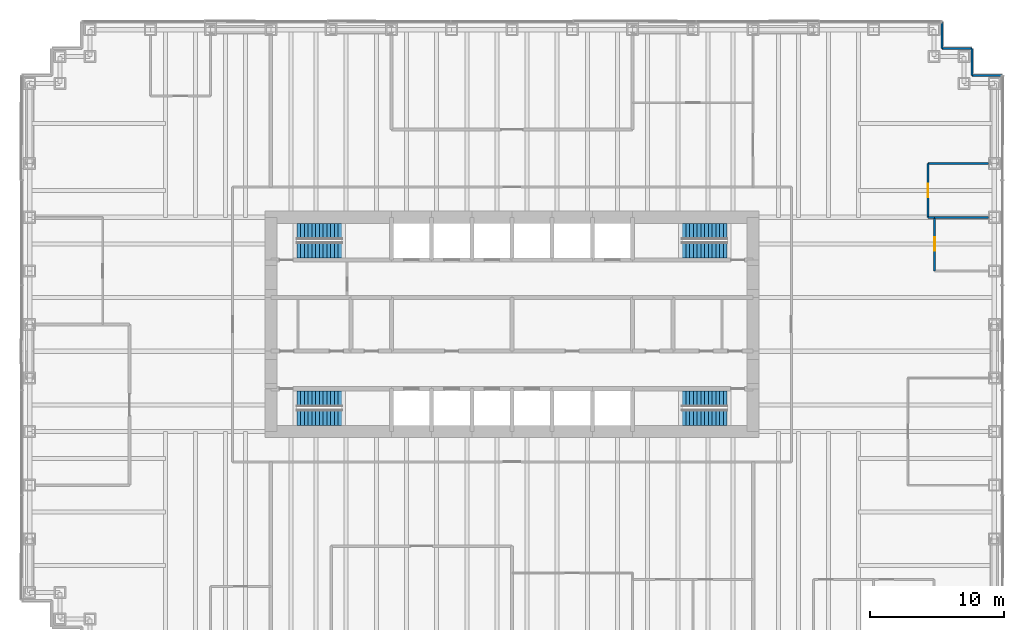
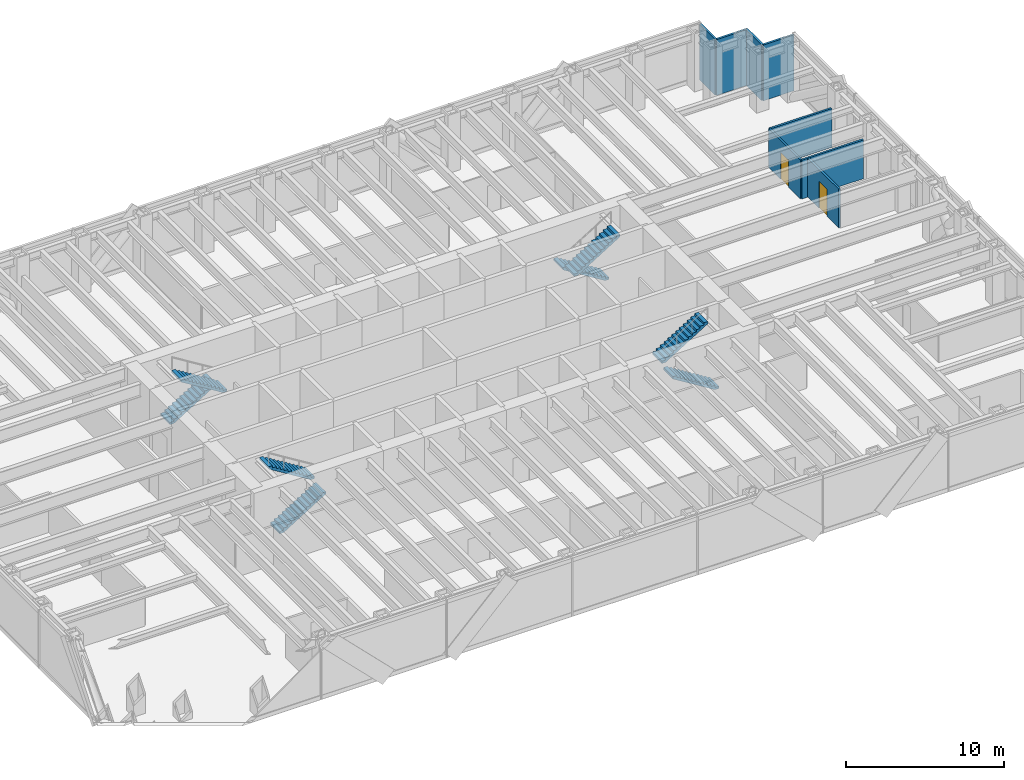
# One storey, part 12 of 13: 9 walls, 8 stair flights, 2 doors, 2 openings, 4 elements without a shape of their own.
"""IFC4 building model written with IfcOpenShell, lengths in metres."""

from ifc_helpers import new_model, si_unit, direction, frame, frame_2d, origin, place, context, subcontext, project, spatial, polyline, rectangle, outline, extrude, material, layer, layer_set, type_object, element, fill, aggregate, save


model = new_model("IFC4")

# Units and contexts
model_context = context("Model", 3, precision=1e-05, world=origin(), true_north=direction((0.0, 1.0)))
body_context = subcontext(model_context, "Body", "Model", "MODEL_VIEW")
ifc_project = project(units=[si_unit("LENGTHUNIT", "METRE"), si_unit("AREAUNIT", "SQUARE_METRE"), si_unit("VOLUMEUNIT", "CUBIC_METRE"), si_unit("PLANEANGLEUNIT", "RADIAN"), si_unit("MASSUNIT", "GRAM", prefix="KILO")], contexts=[model_context])

# Site, building, storey
site_placement = place(None, origin())
site = spatial("IfcSite", under=ifc_project, at=site_placement, CompositionType="ELEMENT")
building_placement = place(site_placement, origin())
building = spatial("IfcBuilding", under=site, at=building_placement, Name="Rheinbord Bourse Tower", CompositionType="ELEMENT")
storey_placement = place(building_placement, frame((0.0, 0.0, 81.5)))
storey = spatial("IfcBuildingStorey", under=building, at=storey_placement, Name="L17", CompositionType="ELEMENT", Elevation=81.5)

# Walls
ifc_material_1 = material(Name="Black metal rainscreen panel", Category="aluminium")
ifc_layer_1 = layer(ifc_material_1, 0.14990234375)
ifc_layer_set_1 = layer_set([ifc_layer_1], Name="CORNER PIER CLADDING 150")
wall_type_1 = type_object("IfcWallType", Name="CORNER PIER CLADDING 150", PredefinedType="ELEMENTEDWALL", material=ifc_layer_set_1)
wall_1_placement = place(storey_placement, frame((72.60009765625, 42.60009765625, 0.0), z_axis=(0.0, 0.0, 1.0), x_axis=(-1.0, 0.0, 0.0)))
element("IfcWall", 1, at=wall_1_placement, inside=storey, type_object=wall_type_1, Name="Corner pier cladding L17 7", PredefinedType="ELEMENTEDWALL", context=body_context, shape_type="SweptSolid", body=[
    extrude(rectangle(XDim=2.25, YDim=0.14990234375, at=frame_2d((1.125, 0.0))), origin(), (0.0, 0.0, 1.0), 4.320068359375),
])
wall_2_placement = place(storey_placement, frame((70.35009765625, 42.60009765625, 0.0), z_axis=(0.0, 0.0, 1.0), x_axis=(0.0, 1.0, 0.0)))
element("IfcWall", 2, at=wall_2_placement, inside=storey, type_object=wall_type_1, Name="Corner pier cladding L17 8", PredefinedType="ELEMENTEDWALL", context=body_context, shape_type="SweptSolid", body=[
    extrude(rectangle(XDim=2.0, YDim=0.14990234375, at=frame_2d((1.0, 0.0))), origin(), (0.0, 0.0, 1.0), 4.320068359375),
])
wall_3_placement = place(storey_placement, frame((70.35009765625, 44.60009765625, 0.0), z_axis=(0.0, 0.0, 1.0), x_axis=(-1.0, 0.0, 0.0)))
element("IfcWall", 3, at=wall_3_placement, inside=storey, type_object=wall_type_1, Name="Corner pier cladding L17 9", PredefinedType="ELEMENTEDWALL", context=body_context, shape_type="SweptSolid", body=[
    extrude(rectangle(XDim=2.25, YDim=0.14990234375, at=frame_2d((1.125, 0.0))), origin(), (0.0, 0.0, 1.0), 4.320068359375),
])
wall_4_placement = place(storey_placement, frame((68.10009765625, 44.60009765625, 0.0), z_axis=(0.0, 0.0, 1.0), x_axis=(0.0, 1.0, 0.0)))
element("IfcWall", 4, at=wall_4_placement, inside=storey, type_object=wall_type_1, Name="Corner pier cladding L17 10", PredefinedType="ELEMENTEDWALL", context=body_context, shape_type="SweptSolid", body=[
    extrude(rectangle(XDim=2.0, YDim=0.14990234375, at=frame_2d((1.0, 0.0))), origin(), (0.0, 0.0, 1.0), 4.320068359375),
])
ifc_material_2 = material(Name="Gypsum board fire partition", Category="gypsum board")
ifc_layer_2 = layer(ifc_material_2, 0.14990234375)
ifc_layer_set_2 = layer_set([ifc_layer_2], Name="FIRE PARTITION 150 EI60")
wall_type_2 = type_object("IfcWallType", Name="FIRE PARTITION 150 EI60", PredefinedType="PARTITIONING", material=ifc_layer_set_2)
wall_5_placement = place(storey_placement, frame((67.550048828125, 32.0, 0.0), z_axis=(0.0, 0.0, 1.0), x_axis=(1.0, 0.0, 0.0)))
element("IfcWall", 5, at=wall_5_placement, inside=storey, type_object=wall_type_2, Name="Partition L17-15", PredefinedType="PARTITIONING", context=body_context, shape_type="SweptSolid", body=[
    extrude(rectangle(XDim=4.0, YDim=0.14990234375, at=frame_2d((2.0, 0.0))), origin(), (0.0, 0.0, 1.0), 3.0),
])

# Wall, opening, door
wall_6_placement = place(storey_placement, frame((67.550048828125, 28.0, 0.0), z_axis=(0.0, 0.0, 1.0), x_axis=(0.0, 1.0, 0.0)))
wall_6 = element("IfcWall", 6, at=wall_6_placement, inside=storey, type_object=wall_type_2, Name="Partition L17-44", PredefinedType="PARTITIONING", context=body_context, shape_type="SweptSolid", body=[
    extrude(rectangle(XDim=4.0, YDim=0.14990234375, at=frame_2d((2.0, 0.0))), origin(), (0.0, 0.0, 1.0), 3.0),
])
opening_1_placement = place(wall_6_placement, frame((1.5, 0.0, 0.0)))
opening_1 = element("IfcOpeningElement", 7, at=opening_1_placement, cuts=wall_6, Name="Opening 17D11", PredefinedType="OPENING", context=body_context, shape_type="SweptSolid", body=[
    extrude(rectangle(XDim=1.0, YDim=2.10009765625, at=frame_2d((0.5, 1.050048828125))), frame((0.0, 0.0849609375, 0.0), z_axis=(0.0, -1.0, 0.0), x_axis=(1.0, 0.0, 0.0)), (0.0, 0.0, 1.0), 0.169921875),
])
ifc_material_3 = material(Name="Timber fire door", Category="wood")
door_type_1 = type_object("IfcDoorType", Name="FIRE DOOR 1000 EI60", OperationType="SINGLE_SWING_LEFT", PredefinedType="DOOR", material=ifc_material_3)
door_1_placement = place(opening_1_placement, origin())
door_1 = element("IfcDoor", 8, at=door_1_placement, inside=storey, type_object=door_type_1, Name="Comms room door L17", OperationType="SINGLE_SWING_LEFT", OverallHeight=2.10009765625, OverallWidth=1.0, PredefinedType="DOOR", context=body_context, shape_type="SweptSolid", body=[
    extrude(rectangle(XDim=1.0, YDim=2.10009765625, at=frame_2d((0.5, 1.050048828125))), frame((0.0, 0.02490234375, 0.0), z_axis=(0.0, -1.0, 0.0), x_axis=(1.0, 0.0, 0.0)), (0.0, 0.0, 1.0), 0.050048828125),
])
fill(opening_1, door_1)

# Walls
ifc_material_4 = material(Name="Gypsum board partition", Category="gypsum board")
ifc_layer_3 = layer(ifc_material_4, 0.14990234375)
ifc_layer_set_3 = layer_set([ifc_layer_3], Name="PARTITION 150")
wall_type_3 = type_object("IfcWallType", Name="PARTITION 150", PredefinedType="PARTITIONING", material=ifc_layer_set_3)
wall_7_placement = place(storey_placement, frame((67.050048828125, 32.0, 0.0), z_axis=(0.0, 0.0, 1.0), x_axis=(1.0, 0.0, 0.0)))
element("IfcWall", 9, at=wall_7_placement, inside=storey, type_object=wall_type_3, Name="Partition L17-14", PredefinedType="PARTITIONING", context=body_context, shape_type="SweptSolid", body=[
    extrude(rectangle(XDim=0.5, YDim=0.14990234375, at=frame_2d((0.25, 0.0))), origin(), (0.0, 0.0, 1.0), 3.0),
])
wall_8_placement = place(storey_placement, frame((67.050048828125, 36.0, 0.0), z_axis=(0.0, 0.0, 1.0), x_axis=(1.0, 0.0, 0.0)))
element("IfcWall", 10, at=wall_8_placement, inside=storey, type_object=wall_type_3, Name="Partition L17-17", PredefinedType="PARTITIONING", context=body_context, shape_type="SweptSolid", body=[
    extrude(rectangle(XDim=4.5, YDim=0.14990234375, at=frame_2d((2.25, 0.0))), origin(), (0.0, 0.0, 1.0), 3.0),
])

# Wall, opening, door
wall_9_placement = place(storey_placement, frame((67.050048828125, 32.0, 0.0), z_axis=(0.0, 0.0, 1.0), x_axis=(0.0, 1.0, 0.0)))
wall_9 = element("IfcWall", 11, at=wall_9_placement, inside=storey, type_object=wall_type_3, Name="Partition L17-42", PredefinedType="PARTITIONING", context=body_context, shape_type="SweptSolid", body=[
    extrude(rectangle(XDim=4.0, YDim=0.14990234375, at=frame_2d((2.0, 0.0))), origin(), (0.0, 0.0, 1.0), 3.0),
])
opening_2_placement = place(wall_9_placement, frame((1.5, 0.0, 0.0)))
opening_2 = element("IfcOpeningElement", 12, at=opening_2_placement, cuts=wall_9, Name="Opening 17D12", PredefinedType="OPENING", context=body_context, shape_type="SweptSolid", body=[
    extrude(rectangle(XDim=1.0, YDim=2.10009765625, at=frame_2d((0.5, 1.050048828125))), frame((0.0, 0.0849609375, 0.0), z_axis=(0.0, -1.0, 0.0), x_axis=(1.0, 0.0, 0.0)), (0.0, 0.0, 1.0), 0.169921875),
])
ifc_material_5 = material(Name="Timber door", Category="wood")
door_type_2 = type_object("IfcDoorType", Name="ROOM DOOR 1000", OperationType="SINGLE_SWING_LEFT", PredefinedType="DOOR", material=ifc_material_5)
door_2_placement = place(opening_2_placement, origin())
door_2 = element("IfcDoor", 13, at=door_2_placement, inside=storey, type_object=door_type_2, Name="Pantry door L17", OperationType="SINGLE_SWING_LEFT", OverallHeight=2.10009765625, OverallWidth=1.0, PredefinedType="DOOR", context=body_context, shape_type="SweptSolid", body=[
    extrude(rectangle(XDim=1.0, YDim=2.10009765625, at=frame_2d((0.5, 1.050048828125))), frame((0.0, 0.02490234375, 0.0), z_axis=(0.0, -1.0, 0.0), x_axis=(1.0, 0.0, 0.0)), (0.0, 0.0, 1.0), 0.050048828125),
])
fill(opening_2, door_2)

# Stair, stair flights
ifc_material_6 = material(Name="Concrete C30/37", Category="concrete")
stair_type = type_object("IfcStairType", Name="CORE STAIR HALF TURN 4500", PredefinedType="HALF_TURN_STAIR", material=ifc_material_6)
stair_1_placement = place(storey_placement, origin())
stair_1 = element("IfcStair", 14, at=stair_1_placement, inside=storey, type_object=stair_type, Name="Stair ST1 L17, type CS4", PredefinedType="HALF_TURN_STAIR")
ifc_material_7 = material(Name="Concrete C30/37", Category="concrete")
stair_flight_type = type_object("IfcStairFlightType", Name="CORE STAIR FLIGHT 1200, 13 RISERS", PredefinedType="STRAIGHT", material=ifc_material_7)
stair_flight_1_placement = place(storey_placement, frame((19.949951171875, 17.050048828125, 0.0), z_axis=(0.0, 0.0, 1.0), x_axis=(1.0, 0.0, 0.0)))
stair_flight_1 = element("IfcStairFlight", 15, at=stair_flight_1_placement, type_object=stair_flight_type, Name="STAIR L17 ST1 F1", NumberOfRisers=13, NumberOfTreads=12, PredefinedType="STRAIGHT", RiserHeight=0.173076923, TreadLength=0.28, context=body_context, shape_type="SweptSolid", body=[
    extrude(outline(polyline([(0.0, 0.0), (0.0, 0.173095703125), (0.280029296875, 0.173095703125), (0.280029296875, 0.34619140625), (0.56005859375, 0.34619140625), (0.56005859375, 0.519287109375), (0.840087890625, 0.519287109375), (0.840087890625, 0.6923828125), (1.1201171875, 0.6923828125), (1.1201171875, 0.865478515625), (1.39990234375, 0.865478515625), (1.39990234375, 1.03857421875), (1.679931640625, 1.03857421875), (1.679931640625, 1.21142578125), (1.9599609375, 1.21142578125), (1.9599609375, 1.384521484375), (2.239990234375, 1.384521484375), (2.239990234375, 1.5576171875), (2.52001953125, 1.5576171875), (2.52001953125, 1.730712890625), (2.800048828125, 1.730712890625), (2.800048828125, 1.90380859375), (3.080078125, 1.90380859375), (3.080078125, 2.076904296875), (3.360107421875, 2.076904296875), (3.360107421875, 2.25), (3.360107421875, 1.900634765625), (0.28515625, 0.0), (0.0, 0.0)])), frame((0.0, 0.60009765625, 0.0), z_axis=(0.0, -1.0, 0.0), x_axis=(1.0, 0.0, 0.0)), (0.0, 0.0, 1.0), 1.199951171875),
])
stair_flight_2_placement = place(storey_placement, frame((23.31005859375, 18.449951171875, 2.25), z_axis=(0.0, 0.0, 1.0), x_axis=(-1.0, 0.0, 0.0)))
stair_flight_2 = element("IfcStairFlight", 16, at=stair_flight_2_placement, type_object=stair_flight_type, Name="STAIR L17 ST1 F2", NumberOfRisers=13, NumberOfTreads=12, PredefinedType="STRAIGHT", RiserHeight=0.173076923, TreadLength=0.28, context=body_context, shape_type="SweptSolid", body=[
    extrude(outline(polyline([(0.0, 0.0), (0.0, 0.173095703125), (0.280029296875, 0.173095703125), (0.280029296875, 0.34619140625), (0.56005859375, 0.34619140625), (0.56005859375, 0.519287109375), (0.840087890625, 0.519287109375), (0.840087890625, 0.6923828125), (1.1201171875, 0.6923828125), (1.1201171875, 0.865478515625), (1.39990234375, 0.865478515625), (1.39990234375, 1.03857421875), (1.679931640625, 1.03857421875), (1.679931640625, 1.21142578125), (1.9599609375, 1.21142578125), (1.9599609375, 1.384521484375), (2.239990234375, 1.384521484375), (2.239990234375, 1.5576171875), (2.52001953125, 1.5576171875), (2.52001953125, 1.730712890625), (2.800048828125, 1.730712890625), (2.800048828125, 1.90380859375), (3.080078125, 1.90380859375), (3.080078125, 2.076904296875), (3.360107421875, 2.076904296875), (3.360107421875, 2.25), (3.360107421875, 1.900634765625), (0.28515625, 0.0), (0.0, 0.0)])), frame((0.0, 0.60009765625, 0.0), z_axis=(0.0, -1.0, 0.0), x_axis=(1.0, 0.0, 0.0)), (0.0, 0.0, 1.0), 1.199951171875),
])
aggregate(stair_1, [stair_flight_1, stair_flight_2])

stair_2_placement = place(storey_placement, origin())
stair_2 = element("IfcStair", 17, at=stair_2_placement, inside=storey, type_object=stair_type, Name="Stair ST2 L17, type CS4", PredefinedType="HALF_TURN_STAIR")
stair_flight_3_placement = place(storey_placement, frame((19.949951171875, 30.949951171875, 0.0), z_axis=(0.0, 0.0, 1.0), x_axis=(1.0, 0.0, 0.0)))
stair_flight_3 = element("IfcStairFlight", 18, at=stair_flight_3_placement, type_object=stair_flight_type, Name="STAIR L17 ST2 F1", NumberOfRisers=13, NumberOfTreads=12, PredefinedType="STRAIGHT", RiserHeight=0.173076923, TreadLength=0.28, context=body_context, shape_type="SweptSolid", body=[
    extrude(outline(polyline([(0.0, 0.0), (0.0, 0.173095703125), (0.280029296875, 0.173095703125), (0.280029296875, 0.34619140625), (0.56005859375, 0.34619140625), (0.56005859375, 0.519287109375), (0.840087890625, 0.519287109375), (0.840087890625, 0.6923828125), (1.1201171875, 0.6923828125), (1.1201171875, 0.865478515625), (1.39990234375, 0.865478515625), (1.39990234375, 1.03857421875), (1.679931640625, 1.03857421875), (1.679931640625, 1.21142578125), (1.9599609375, 1.21142578125), (1.9599609375, 1.384521484375), (2.239990234375, 1.384521484375), (2.239990234375, 1.5576171875), (2.52001953125, 1.5576171875), (2.52001953125, 1.730712890625), (2.800048828125, 1.730712890625), (2.800048828125, 1.90380859375), (3.080078125, 1.90380859375), (3.080078125, 2.076904296875), (3.360107421875, 2.076904296875), (3.360107421875, 2.25), (3.360107421875, 1.900634765625), (0.28515625, 0.0), (0.0, 0.0)])), frame((0.0, 0.60009765625, 0.0), z_axis=(0.0, -1.0, 0.0), x_axis=(1.0, 0.0, 0.0)), (0.0, 0.0, 1.0), 1.199951171875),
])
stair_flight_4_placement = place(storey_placement, frame((23.31005859375, 29.550048828125, 2.25), z_axis=(0.0, 0.0, 1.0), x_axis=(-1.0, 0.0, 0.0)))
stair_flight_4 = element("IfcStairFlight", 19, at=stair_flight_4_placement, type_object=stair_flight_type, Name="STAIR L17 ST2 F2", NumberOfRisers=13, NumberOfTreads=12, PredefinedType="STRAIGHT", RiserHeight=0.173076923, TreadLength=0.28, context=body_context, shape_type="SweptSolid", body=[
    extrude(outline(polyline([(0.0, 0.0), (0.0, 0.173095703125), (0.280029296875, 0.173095703125), (0.280029296875, 0.34619140625), (0.56005859375, 0.34619140625), (0.56005859375, 0.519287109375), (0.840087890625, 0.519287109375), (0.840087890625, 0.6923828125), (1.1201171875, 0.6923828125), (1.1201171875, 0.865478515625), (1.39990234375, 0.865478515625), (1.39990234375, 1.03857421875), (1.679931640625, 1.03857421875), (1.679931640625, 1.21142578125), (1.9599609375, 1.21142578125), (1.9599609375, 1.384521484375), (2.239990234375, 1.384521484375), (2.239990234375, 1.5576171875), (2.52001953125, 1.5576171875), (2.52001953125, 1.730712890625), (2.800048828125, 1.730712890625), (2.800048828125, 1.90380859375), (3.080078125, 1.90380859375), (3.080078125, 2.076904296875), (3.360107421875, 2.076904296875), (3.360107421875, 2.25), (3.360107421875, 1.900634765625), (0.28515625, 0.0), (0.0, 0.0)])), frame((0.0, 0.60009765625, 0.0), z_axis=(0.0, -1.0, 0.0), x_axis=(1.0, 0.0, 0.0)), (0.0, 0.0, 1.0), 1.199951171875),
])
aggregate(stair_2, [stair_flight_3, stair_flight_4])

stair_3_placement = place(storey_placement, origin())
stair_3 = element("IfcStair", 20, at=stair_3_placement, inside=storey, type_object=stair_type, Name="Stair ST3 L17, type CS4", PredefinedType="HALF_TURN_STAIR")
stair_flight_5_placement = place(storey_placement, frame((52.050048828125, 17.050048828125, 0.0), z_axis=(0.0, 0.0, 1.0), x_axis=(-1.0, 0.0, 0.0)))
stair_flight_5 = element("IfcStairFlight", 21, at=stair_flight_5_placement, type_object=stair_flight_type, Name="STAIR L17 ST3 F1", NumberOfRisers=13, NumberOfTreads=12, PredefinedType="STRAIGHT", RiserHeight=0.173076923, TreadLength=0.28, context=body_context, shape_type="SweptSolid", body=[
    extrude(outline(polyline([(0.0, 0.0), (0.0, 0.173095703125), (0.280029296875, 0.173095703125), (0.280029296875, 0.34619140625), (0.56005859375, 0.34619140625), (0.56005859375, 0.519287109375), (0.840087890625, 0.519287109375), (0.840087890625, 0.6923828125), (1.1201171875, 0.6923828125), (1.1201171875, 0.865478515625), (1.39990234375, 0.865478515625), (1.39990234375, 1.03857421875), (1.679931640625, 1.03857421875), (1.679931640625, 1.21142578125), (1.9599609375, 1.21142578125), (1.9599609375, 1.384521484375), (2.239990234375, 1.384521484375), (2.239990234375, 1.5576171875), (2.52001953125, 1.5576171875), (2.52001953125, 1.730712890625), (2.800048828125, 1.730712890625), (2.800048828125, 1.90380859375), (3.080078125, 1.90380859375), (3.080078125, 2.076904296875), (3.360107421875, 2.076904296875), (3.360107421875, 2.25), (3.360107421875, 1.900634765625), (0.28515625, 0.0), (0.0, 0.0)])), frame((0.0, 0.60009765625, 0.0), z_axis=(0.0, -1.0, 0.0), x_axis=(1.0, 0.0, 0.0)), (0.0, 0.0, 1.0), 1.199951171875),
])
stair_flight_6_placement = place(storey_placement, frame((48.68994140625, 18.449951171875, 2.25), z_axis=(0.0, 0.0, 1.0), x_axis=(1.0, 0.0, 0.0)))
stair_flight_6 = element("IfcStairFlight", 22, at=stair_flight_6_placement, type_object=stair_flight_type, Name="STAIR L17 ST3 F2", NumberOfRisers=13, NumberOfTreads=12, PredefinedType="STRAIGHT", RiserHeight=0.173076923, TreadLength=0.28, context=body_context, shape_type="SweptSolid", body=[
    extrude(outline(polyline([(0.0, 0.0), (0.0, 0.173095703125), (0.280029296875, 0.173095703125), (0.280029296875, 0.34619140625), (0.56005859375, 0.34619140625), (0.56005859375, 0.519287109375), (0.840087890625, 0.519287109375), (0.840087890625, 0.6923828125), (1.1201171875, 0.6923828125), (1.1201171875, 0.865478515625), (1.39990234375, 0.865478515625), (1.39990234375, 1.03857421875), (1.679931640625, 1.03857421875), (1.679931640625, 1.21142578125), (1.9599609375, 1.21142578125), (1.9599609375, 1.384521484375), (2.239990234375, 1.384521484375), (2.239990234375, 1.5576171875), (2.52001953125, 1.5576171875), (2.52001953125, 1.730712890625), (2.800048828125, 1.730712890625), (2.800048828125, 1.90380859375), (3.080078125, 1.90380859375), (3.080078125, 2.076904296875), (3.360107421875, 2.076904296875), (3.360107421875, 2.25), (3.360107421875, 1.900634765625), (0.28515625, 0.0), (0.0, 0.0)])), frame((0.0, 0.60009765625, 0.0), z_axis=(0.0, -1.0, 0.0), x_axis=(1.0, 0.0, 0.0)), (0.0, 0.0, 1.0), 1.199951171875),
])
aggregate(stair_3, [stair_flight_5, stair_flight_6])

stair_4_placement = place(storey_placement, origin())
stair_4 = element("IfcStair", 23, at=stair_4_placement, inside=storey, type_object=stair_type, Name="Stair ST4 L17, type CS4", PredefinedType="HALF_TURN_STAIR")
stair_flight_7_placement = place(storey_placement, frame((52.050048828125, 30.949951171875, 0.0), z_axis=(0.0, 0.0, 1.0), x_axis=(-1.0, 0.0, 0.0)))
stair_flight_7 = element("IfcStairFlight", 24, at=stair_flight_7_placement, type_object=stair_flight_type, Name="STAIR L17 ST4 F1", NumberOfRisers=13, NumberOfTreads=12, PredefinedType="STRAIGHT", RiserHeight=0.173076923, TreadLength=0.28, context=body_context, shape_type="SweptSolid", body=[
    extrude(outline(polyline([(0.0, 0.0), (0.0, 0.173095703125), (0.280029296875, 0.173095703125), (0.280029296875, 0.34619140625), (0.56005859375, 0.34619140625), (0.56005859375, 0.519287109375), (0.840087890625, 0.519287109375), (0.840087890625, 0.6923828125), (1.1201171875, 0.6923828125), (1.1201171875, 0.865478515625), (1.39990234375, 0.865478515625), (1.39990234375, 1.03857421875), (1.679931640625, 1.03857421875), (1.679931640625, 1.21142578125), (1.9599609375, 1.21142578125), (1.9599609375, 1.384521484375), (2.239990234375, 1.384521484375), (2.239990234375, 1.5576171875), (2.52001953125, 1.5576171875), (2.52001953125, 1.730712890625), (2.800048828125, 1.730712890625), (2.800048828125, 1.90380859375), (3.080078125, 1.90380859375), (3.080078125, 2.076904296875), (3.360107421875, 2.076904296875), (3.360107421875, 2.25), (3.360107421875, 1.900634765625), (0.28515625, 0.0), (0.0, 0.0)])), frame((0.0, 0.60009765625, 0.0), z_axis=(0.0, -1.0, 0.0), x_axis=(1.0, 0.0, 0.0)), (0.0, 0.0, 1.0), 1.199951171875),
])
stair_flight_8_placement = place(storey_placement, frame((48.68994140625, 29.550048828125, 2.25), z_axis=(0.0, 0.0, 1.0), x_axis=(1.0, 0.0, 0.0)))
stair_flight_8 = element("IfcStairFlight", 25, at=stair_flight_8_placement, type_object=stair_flight_type, Name="STAIR L17 ST4 F2", NumberOfRisers=13, NumberOfTreads=12, PredefinedType="STRAIGHT", RiserHeight=0.173076923, TreadLength=0.28, context=body_context, shape_type="SweptSolid", body=[
    extrude(outline(polyline([(0.0, 0.0), (0.0, 0.173095703125), (0.280029296875, 0.173095703125), (0.280029296875, 0.34619140625), (0.56005859375, 0.34619140625), (0.56005859375, 0.519287109375), (0.840087890625, 0.519287109375), (0.840087890625, 0.6923828125), (1.1201171875, 0.6923828125), (1.1201171875, 0.865478515625), (1.39990234375, 0.865478515625), (1.39990234375, 1.03857421875), (1.679931640625, 1.03857421875), (1.679931640625, 1.21142578125), (1.9599609375, 1.21142578125), (1.9599609375, 1.384521484375), (2.239990234375, 1.384521484375), (2.239990234375, 1.5576171875), (2.52001953125, 1.5576171875), (2.52001953125, 1.730712890625), (2.800048828125, 1.730712890625), (2.800048828125, 1.90380859375), (3.080078125, 1.90380859375), (3.080078125, 2.076904296875), (3.360107421875, 2.076904296875), (3.360107421875, 2.25), (3.360107421875, 1.900634765625), (0.28515625, 0.0), (0.0, 0.0)])), frame((0.0, 0.60009765625, 0.0), z_axis=(0.0, -1.0, 0.0), x_axis=(1.0, 0.0, 0.0)), (0.0, 0.0, 1.0), 1.199951171875),
])
aggregate(stair_4, [stair_flight_7, stair_flight_8])

save(model, "model.ifc")
